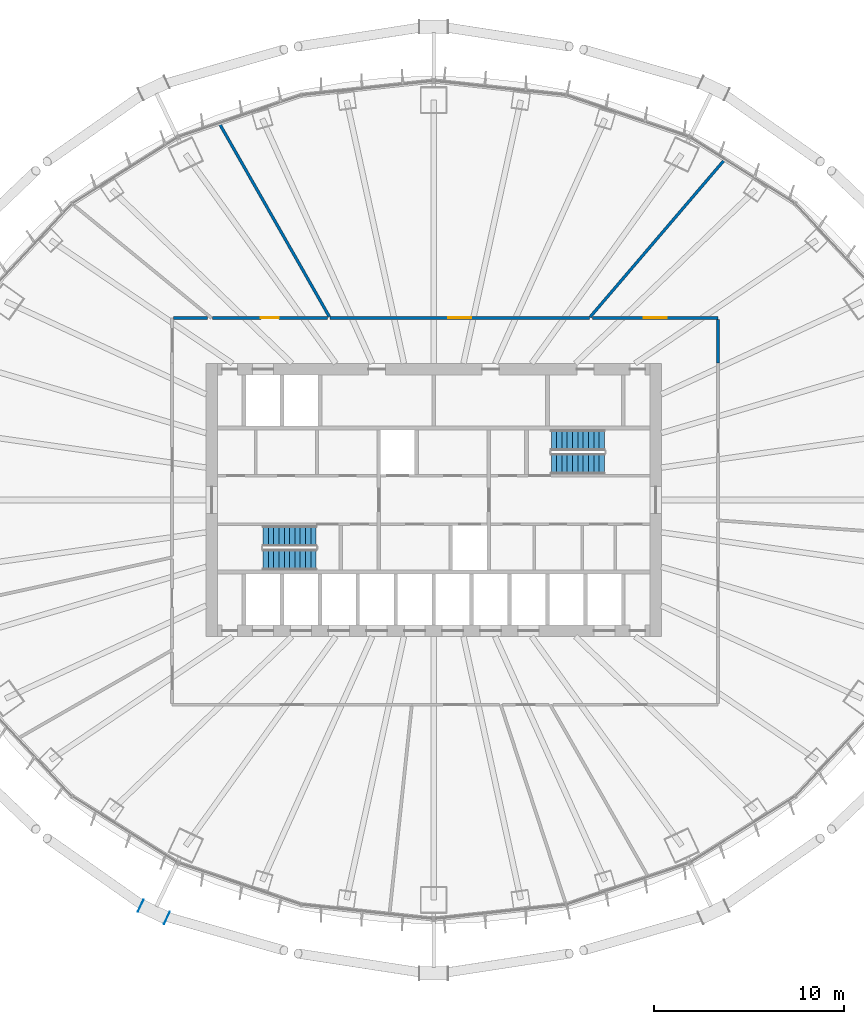
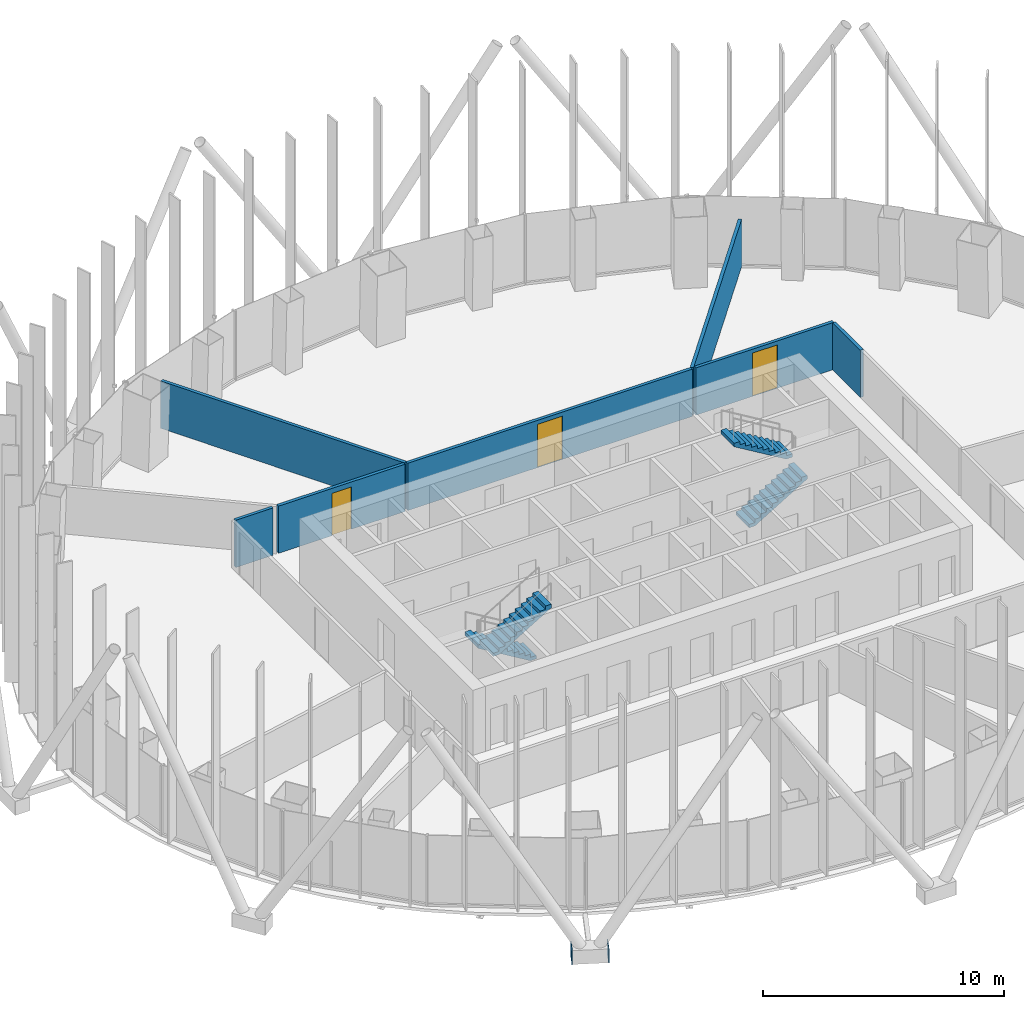
# One storey, part 9 of 21: 7 walls, 4 stair flights, 3 doors, 2 discrete accessories, 3 openings, 2 elements without a shape of their own.
"""IFC4 building model written with IfcOpenShell, lengths in metres."""

from ifc_helpers import new_model, si_unit, direction, frame, frame_2d, origin, origin_2d, place, context, subcontext, project, spatial, polyline, rectangle, outline, extrude, material, layer, layer_set, type_object, element, fill, aggregate, save


model = new_model("IFC4")

# Units and contexts
model_context = context("Model", 3, precision=1e-05, world=origin(), true_north=direction((0.0, 1.0)))
body_context = subcontext(model_context, "Body", "Model", "MODEL_VIEW")
ifc_project = project(units=[si_unit("LENGTHUNIT", "METRE"), si_unit("AREAUNIT", "SQUARE_METRE"), si_unit("VOLUMEUNIT", "CUBIC_METRE"), si_unit("PLANEANGLEUNIT", "RADIAN"), si_unit("MASSUNIT", "GRAM", prefix="KILO")], contexts=[model_context])

# Site, building, storey
site_placement = place(None, origin())
site = spatial("IfcSite", under=ifc_project, at=site_placement, CompositionType="ELEMENT")
building_placement = place(site_placement, origin())
building = spatial("IfcBuilding", under=site, at=building_placement, Name="Siaravel Broadcast Tower", CompositionType="ELEMENT")
storey_placement = place(building_placement, frame((0.0, 0.0, 70.39990234375)))
storey = spatial("IfcBuildingStorey", under=building, at=storey_placement, Name="L16", CompositionType="ELEMENT", Elevation=70.39990234375)

# Wall, opening, door
ifc_material_1 = material(Name="Gypsum board partition", Category="gypsum")
ifc_layer_1 = layer(ifc_material_1, 0.14990234375)
ifc_layer_set_1 = layer_set([ifc_layer_1], Name="Gypsum board partition")
wall_type_1 = type_object("IfcWallType", Name="Corridor wall 150", PredefinedType="PARTITIONING", material=ifc_layer_set_1)
wall_1_placement = place(storey_placement, frame((8.206298828125, 9.60009765625, 0.0), z_axis=(0.0, 0.0, 1.0), x_axis=(-1.0, 0.0, 0.0)))
wall_1 = element("IfcWall", 1, at=wall_1_placement, inside=storey, type_object=wall_type_1, Name="L16 partition 1", PredefinedType="PARTITIONING", context=body_context, shape_type="SweptSolid", body=[
    extrude(rectangle(XDim=13.67138671875, YDim=0.14990234375, at=frame_2d((6.835693359375, 0.0))), origin(), (0.0, 0.0, 1.0), 2.400146484375),
])
opening_1_placement = place(wall_1_placement, frame((6.23583984375, 0.0, 0.0)))
opening_1 = element("IfcOpeningElement", 2, at=opening_1_placement, cuts=wall_1, Name="Opening L16-005", PredefinedType="OPENING", context=body_context, shape_type="SweptSolid", body=[
    extrude(rectangle(XDim=1.199951171875, YDim=2.199951171875, at=frame_2d((0.60009765625, 1.10009765625))), frame((0.0, 0.0849609375, 0.0), z_axis=(0.0, -1.0, 0.0), x_axis=(1.0, 0.0, 0.0)), (0.0, 0.0, 1.0), 0.169921875),
])
ifc_material_2 = material(Name="Timber veneer", Category="wood")
door_type_1 = type_object("IfcDoorType", Name="Office double door 1200", OperationType="DOUBLE_DOOR_SINGLE_SWING", PredefinedType="DOOR", material=ifc_material_2)
door_1_placement = place(opening_1_placement, origin())
door_1 = element("IfcDoor", 3, at=door_1_placement, inside=storey, type_object=door_type_1, Name="L16 door to Open plan newsroom", OperationType="DOUBLE_DOOR_SINGLE_SWING", OverallHeight=2.199951171875, OverallWidth=1.199951171875, PredefinedType="DOOR", context=body_context, shape_type="SweptSolid", body=[
    extrude(rectangle(XDim=1.199951171875, YDim=2.199951171875, at=frame_2d((0.60009765625, 1.10009765625))), frame((0.0, 0.02490234375, 0.0), z_axis=(0.0, -1.0, 0.0), x_axis=(1.0, 0.0, 0.0)), (0.0, 0.0, 1.0), 0.050048828125),
])
fill(opening_1, door_1)

wall_2_placement = place(storey_placement, frame((15.0, 9.60009765625, 0.0), z_axis=(0.0, 0.0, 1.0), x_axis=(-1.0, 0.0, 0.0)))
wall_2 = element("IfcWall", 4, at=wall_2_placement, inside=storey, type_object=wall_type_1, Name="L16 partition 15", PredefinedType="PARTITIONING", context=body_context, shape_type="SweptSolid", body=[
    extrude(rectangle(XDim=6.62890625, YDim=0.14990234375, at=frame_2d((3.314453125, 0.0))), origin(), (0.0, 0.0, 1.0), 2.400146484375),
])
opening_2_placement = place(wall_2_placement, frame((2.71435546875, 0.0, 0.0)))
opening_2 = element("IfcOpeningElement", 5, at=opening_2_placement, cuts=wall_2, Name="Opening L16-004", PredefinedType="OPENING", context=body_context, shape_type="SweptSolid", body=[
    extrude(rectangle(XDim=1.199951171875, YDim=2.199951171875, at=frame_2d((0.60009765625, 1.10009765625))), frame((0.0, 0.0849609375, 0.0), z_axis=(0.0, -1.0, 0.0), x_axis=(1.0, 0.0, 0.0)), (0.0, 0.0, 1.0), 0.169921875),
])
door_2_placement = place(opening_2_placement, origin())
door_2 = element("IfcDoor", 6, at=door_2_placement, inside=storey, type_object=door_type_1, Name="L16 door to Open plan newsroom", OperationType="DOUBLE_DOOR_SINGLE_SWING", OverallHeight=2.199951171875, OverallWidth=1.199951171875, PredefinedType="DOOR", context=body_context, shape_type="SweptSolid", body=[
    extrude(rectangle(XDim=1.199951171875, YDim=2.199951171875, at=frame_2d((0.60009765625, 1.10009765625))), frame((0.0, 0.02490234375, 0.0), z_axis=(0.0, -1.0, 0.0), x_axis=(1.0, 0.0, 0.0)), (0.0, 0.0, 1.0), 0.050048828125),
])
fill(opening_2, door_2)

wall_3_placement = place(storey_placement, frame((-5.59619140625, 9.60009765625, 0.0), z_axis=(0.0, 0.0, 1.0), x_axis=(-1.0, 0.0, 0.0)))
wall_3 = element("IfcWall", 7, at=wall_3_placement, inside=storey, type_object=wall_type_1, Name="L16 partition 16", PredefinedType="PARTITIONING", context=body_context, shape_type="SweptSolid", body=[
    extrude(rectangle(XDim=6.07421875, YDim=0.14990234375, at=frame_2d((3.037109375, 0.0))), origin(), (0.0, 0.0, 1.0), 2.400146484375),
])
opening_3_placement = place(wall_3_placement, frame((2.562255859375, 0.0, 0.0)))
opening_3 = element("IfcOpeningElement", 8, at=opening_3_placement, cuts=wall_3, Name="Opening L16-006", PredefinedType="OPENING", context=body_context, shape_type="SweptSolid", body=[
    extrude(rectangle(XDim=0.949951171875, YDim=2.14990234375, at=frame_2d((0.47509765625, 1.074951171875))), frame((0.0, 0.0849609375, 0.0), z_axis=(0.0, -1.0, 0.0), x_axis=(1.0, 0.0, 0.0)), (0.0, 0.0, 1.0), 0.169921875),
])
door_type_2 = type_object("IfcDoorType", Name="Office door 950", OperationType="SINGLE_SWING_LEFT", PredefinedType="DOOR", material=ifc_material_2)
door_3_placement = place(opening_3_placement, origin())
door_3 = element("IfcDoor", 9, at=door_3_placement, inside=storey, type_object=door_type_2, Name="L16 door to Production office", OperationType="SINGLE_SWING_RIGHT", OverallHeight=2.14990234375, OverallWidth=0.949951171875, PredefinedType="DOOR", context=body_context, shape_type="SweptSolid", body=[
    extrude(rectangle(XDim=0.949951171875, YDim=2.14990234375, at=frame_2d((0.47509765625, 1.074951171875))), frame((0.0, 0.02490234375, 0.0), z_axis=(0.0, -1.0, 0.0), x_axis=(1.0, 0.0, 0.0)), (0.0, 0.0, 1.0), 0.050048828125),
])
fill(opening_3, door_3)

# Walls
wall_4_placement = place(storey_placement, frame((15.0, 7.212890625, 0.0), z_axis=(0.0, 0.0, 1.0), x_axis=(0.0, 1.0, 0.0)))
element("IfcWall", 10, at=wall_4_placement, inside=storey, type_object=wall_type_1, Name="L16 partition 24", PredefinedType="PARTITIONING", context=body_context, shape_type="SweptSolid", body=[
    extrude(rectangle(XDim=2.31005859375, YDim=0.14990234375, at=frame_2d((1.155029296875, 0.0))), origin(), (0.0, 0.0, 1.0), 2.400146484375),
])
wall_5_placement = place(storey_placement, frame((-11.931884765625, 9.60009765625, 0.0), z_axis=(0.0, 0.0, 1.0), x_axis=(-1.0, 0.0, 0.0)))
element("IfcWall", 11, at=wall_5_placement, inside=storey, type_object=wall_type_1, Name="L16 partition 25", PredefinedType="PARTITIONING", context=body_context, shape_type="SweptSolid", body=[
    extrude(rectangle(XDim=1.791015625, YDim=0.14990234375, at=frame_2d((0.8955078125, 0.0))), origin(), (0.0, 0.0, 1.0), 2.400146484375),
])
ifc_layer_2 = layer(ifc_material_1, 0.14990234375)
ifc_layer_set_2 = layer_set([ifc_layer_2], Name="Gypsum board partition")
wall_type_2 = type_object("IfcWallType", Name="Room partition 150", PredefinedType="PARTITIONING", material=ifc_layer_set_2)
wall_6_placement = place(storey_placement, frame((-11.313720703125, 19.873779296875, 0.0), z_axis=(0.0, 0.0, 1.0), x_axis=(0.49473362, -0.869044674, 0.0)))
element("IfcWall", 12, at=wall_6_placement, inside=storey, type_object=wall_type_2, Name="L16 partition 4", PredefinedType="PARTITIONING", context=body_context, shape_type="SweptSolid", body=[
    extrude(rectangle(XDim=11.754638671875, YDim=0.14990234375, at=frame_2d((5.87744140625, 0.0))), origin(), (0.0, 0.0, 1.0), 2.400146484375),
])
wall_7_placement = place(storey_placement, frame((15.35693359375, 17.965087890625, 0.0), z_axis=(0.0, 0.0, 1.0), x_axis=(-0.649780526, -0.760121877, 0.0)))
element("IfcWall", 13, at=wall_7_placement, inside=storey, type_object=wall_type_2, Name="L16 partition 7", PredefinedType="PARTITIONING", context=body_context, shape_type="SweptSolid", body=[
    extrude(rectangle(XDim=10.94580078125, YDim=0.14990234375, at=frame_2d((5.472900390625, 0.0))), origin(), (0.0, 0.0, 1.0), 2.400146484375),
])

# Stair, stair flights
ifc_material_3 = material(Name="Concrete C40/50", Category="concrete")
stair_type = type_object("IfcStairType", Name="Core exit stair", PredefinedType="HALF_TURN_STAIR", material=ifc_material_3)
stair_1_placement = place(storey_placement, origin())
stair_1 = element("IfcStair", 14, at=stair_1_placement, inside=storey, type_object=stair_type, Name="L16 Exit stair ST-1", PredefinedType="HALF_TURN_STAIR")
stair_flight_type = type_object("IfcStairFlightType", Name="Stair flight 1100", PredefinedType="STRAIGHT", material=ifc_material_3)
stair_flight_1_placement = place(storey_placement, frame((-6.199951171875, -1.89990234375, 0.0), z_axis=(0.0, 0.0, 1.0), x_axis=(-1.0, 0.0, 0.0)))
stair_flight_1 = element("IfcStairFlight", 15, at=stair_flight_1_placement, type_object=stair_flight_type, Name="ST-1 flight 1", NumberOfRisers=11, NumberOfTreads=10, PredefinedType="STRAIGHT", RiserHeight=0.1681818, TreadLength=0.28, context=body_context, shape_type="SweptSolid", body=[
    extrude(outline(polyline([(0.0, 0.0), (0.0, 0.168212890625), (0.280029296875, 0.168212890625), (0.280029296875, 0.33642578125), (0.56005859375, 0.33642578125), (0.56005859375, 0.504638671875), (0.840087890625, 0.504638671875), (0.840087890625, 0.672607421875), (1.1201171875, 0.672607421875), (1.1201171875, 0.8408203125), (1.39990234375, 0.8408203125), (1.39990234375, 1.009033203125), (1.679931640625, 1.009033203125), (1.679931640625, 1.17724609375), (1.9599609375, 1.17724609375), (1.9599609375, 1.345458984375), (2.239990234375, 1.345458984375), (2.239990234375, 1.513671875), (2.52001953125, 1.513671875), (2.52001953125, 1.681884765625), (2.800048828125, 1.681884765625), (2.800048828125, 1.85009765625), (2.800048828125, 1.5068359375), (0.291015625, 0.0), (0.0, 0.0)])), frame((0.0, 0.550048828125, 0.0), z_axis=(0.0, -1.0, 0.0), x_axis=(1.0, 0.0, 0.0)), (0.0, 0.0, 1.0), 1.10009765625),
])
stair_flight_2_placement = place(storey_placement, frame((-9.0, -3.14990234375, 1.85009765625), z_axis=(0.0, 0.0, 1.0), x_axis=(1.0, 0.0, 0.0)))
stair_flight_2 = element("IfcStairFlight", 16, at=stair_flight_2_placement, type_object=stair_flight_type, Name="ST-1 flight 2", NumberOfRisers=11, NumberOfTreads=10, PredefinedType="STRAIGHT", RiserHeight=0.1681818, TreadLength=0.28, context=body_context, shape_type="SweptSolid", body=[
    extrude(outline(polyline([(0.0, 0.0), (0.0, 0.168212890625), (0.280029296875, 0.168212890625), (0.280029296875, 0.33642578125), (0.56005859375, 0.33642578125), (0.56005859375, 0.504638671875), (0.840087890625, 0.504638671875), (0.840087890625, 0.672607421875), (1.1201171875, 0.672607421875), (1.1201171875, 0.8408203125), (1.39990234375, 0.8408203125), (1.39990234375, 1.009033203125), (1.679931640625, 1.009033203125), (1.679931640625, 1.17724609375), (1.9599609375, 1.17724609375), (1.9599609375, 1.345458984375), (2.239990234375, 1.345458984375), (2.239990234375, 1.513671875), (2.52001953125, 1.513671875), (2.52001953125, 1.681884765625), (2.800048828125, 1.681884765625), (2.800048828125, 1.85009765625), (2.800048828125, 1.5068359375), (0.291015625, 0.0), (0.0, 0.0)])), frame((0.0, 0.550048828125, 0.0), z_axis=(0.0, -1.0, 0.0), x_axis=(1.0, 0.0, 0.0)), (0.0, 0.0, 1.0), 1.10009765625),
])
aggregate(stair_1, [stair_flight_1, stair_flight_2])

stair_2_placement = place(storey_placement, origin())
stair_2 = element("IfcStair", 17, at=stair_2_placement, inside=storey, type_object=stair_type, Name="L16 Exit stair ST-2", PredefinedType="HALF_TURN_STAIR")
stair_flight_3_placement = place(storey_placement, frame((6.199951171875, 1.89990234375, 0.0), z_axis=(0.0, 0.0, 1.0), x_axis=(1.0, 0.0, 0.0)))
stair_flight_3 = element("IfcStairFlight", 18, at=stair_flight_3_placement, type_object=stair_flight_type, Name="ST-2 flight 1", NumberOfRisers=11, NumberOfTreads=10, PredefinedType="STRAIGHT", RiserHeight=0.1681818, TreadLength=0.28, context=body_context, shape_type="SweptSolid", body=[
    extrude(outline(polyline([(0.0, 0.0), (0.0, 0.168212890625), (0.280029296875, 0.168212890625), (0.280029296875, 0.33642578125), (0.56005859375, 0.33642578125), (0.56005859375, 0.504638671875), (0.840087890625, 0.504638671875), (0.840087890625, 0.672607421875), (1.1201171875, 0.672607421875), (1.1201171875, 0.8408203125), (1.39990234375, 0.8408203125), (1.39990234375, 1.009033203125), (1.679931640625, 1.009033203125), (1.679931640625, 1.17724609375), (1.9599609375, 1.17724609375), (1.9599609375, 1.345458984375), (2.239990234375, 1.345458984375), (2.239990234375, 1.513671875), (2.52001953125, 1.513671875), (2.52001953125, 1.681884765625), (2.800048828125, 1.681884765625), (2.800048828125, 1.85009765625), (2.800048828125, 1.5068359375), (0.291015625, 0.0), (0.0, 0.0)])), frame((0.0, 0.550048828125, 0.0), z_axis=(0.0, -1.0, 0.0), x_axis=(1.0, 0.0, 0.0)), (0.0, 0.0, 1.0), 1.10009765625),
])
stair_flight_4_placement = place(storey_placement, frame((9.0, 3.14990234375, 1.85009765625), z_axis=(0.0, 0.0, 1.0), x_axis=(-1.0, 0.0, 0.0)))
stair_flight_4 = element("IfcStairFlight", 19, at=stair_flight_4_placement, type_object=stair_flight_type, Name="ST-2 flight 2", NumberOfRisers=11, NumberOfTreads=10, PredefinedType="STRAIGHT", RiserHeight=0.1681818, TreadLength=0.28, context=body_context, shape_type="SweptSolid", body=[
    extrude(outline(polyline([(0.0, 0.0), (0.0, 0.168212890625), (0.280029296875, 0.168212890625), (0.280029296875, 0.33642578125), (0.56005859375, 0.33642578125), (0.56005859375, 0.504638671875), (0.840087890625, 0.504638671875), (0.840087890625, 0.672607421875), (1.1201171875, 0.672607421875), (1.1201171875, 0.8408203125), (1.39990234375, 0.8408203125), (1.39990234375, 1.009033203125), (1.679931640625, 1.009033203125), (1.679931640625, 1.17724609375), (1.9599609375, 1.17724609375), (1.9599609375, 1.345458984375), (2.239990234375, 1.345458984375), (2.239990234375, 1.513671875), (2.52001953125, 1.513671875), (2.52001953125, 1.681884765625), (2.800048828125, 1.681884765625), (2.800048828125, 1.85009765625), (2.800048828125, 1.5068359375), (0.291015625, 0.0), (0.0, 0.0)])), frame((0.0, 0.550048828125, 0.0), z_axis=(0.0, -1.0, 0.0), x_axis=(1.0, 0.0, 0.0)), (0.0, 0.0, 1.0), 1.10009765625),
])
aggregate(stair_2, [stair_flight_3, stair_flight_4])

# Discrete accessories
ifc_material_4 = material(Name="Steel S355", Category="steel")
ifc_layer_3 = layer(ifc_material_4, 0.02001953125)
ifc_layer_set_3 = layer_set([ifc_layer_3], Name="Steel S355")
discrete_accessory_type = type_object("IfcDiscreteAccessoryType", Name="Steel end plate 20 mm", PredefinedType="USERDEFINED", material=ifc_layer_set_3)
for number, where, z_axis, x_axis, name in (
    (20, (-14.0703125, -22.041015625, -0.5498046875), (0.0, 0.0, 1.0), (0.904007202, -0.427517227, 0.0), "End plate R07 station 48A"),
    (21, (-15.450439453125, -21.38818359375, -0.5498046875), (0.0, 0.0, 1.0), (0.904007202, -0.427517227, 0.0), "End plate R07 station 48B"),
):
    element("IfcDiscreteAccessory", number, at=place(storey_placement, frame(where, z_axis=z_axis, x_axis=x_axis)), inside=storey, type_object=discrete_accessory_type, Name=name, ObjectType="END PLATE", PredefinedType="USERDEFINED", context=body_context, shape_type="SweptSolid", body=[
        extrude(rectangle(XDim=0.02001953125, YDim=0.699951171875, at=origin_2d()), origin(), (0.0, 0.0, 1.0), 0.699951171875),
    ])

save(model, "model.ifc")
